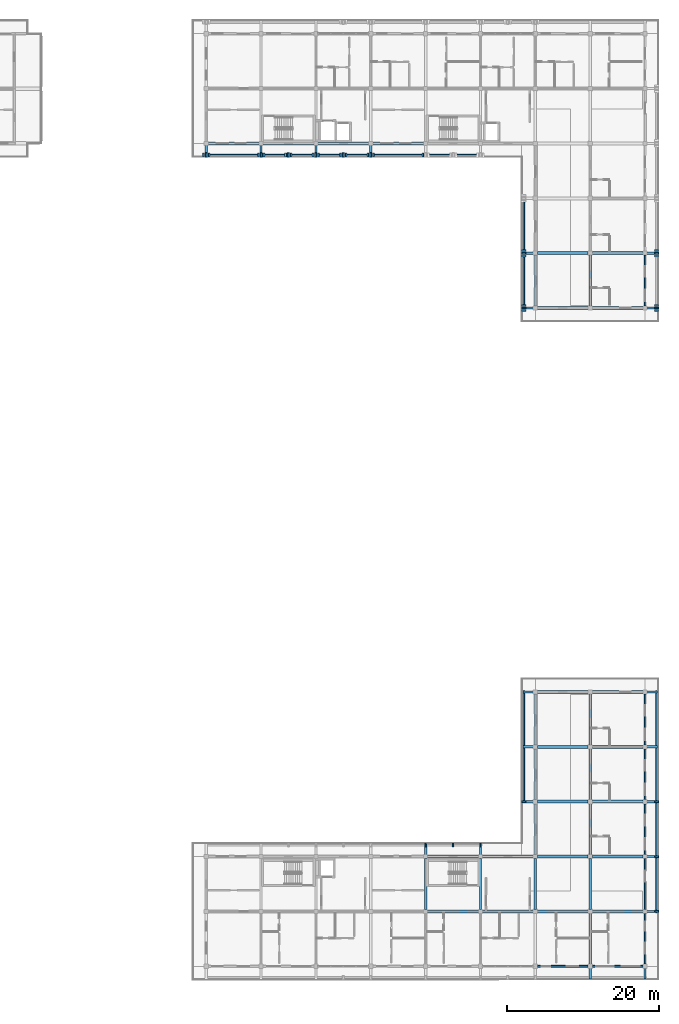
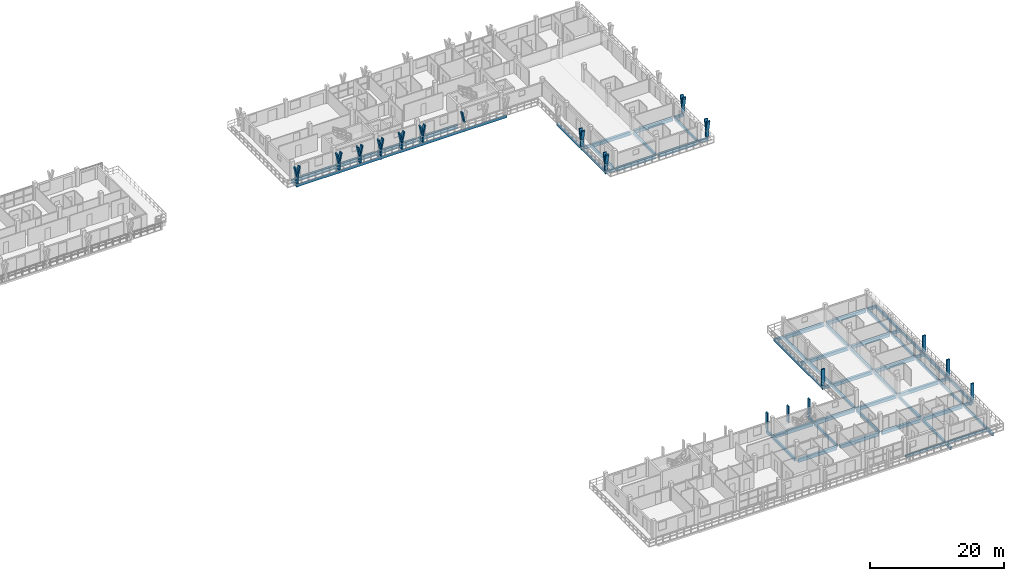
# One storey, part 23 of 67: 67 beams, 38 members.
"""IFC4 building model written with IfcOpenShell, lengths in metres."""

from ifc_helpers import new_model, si_unit, direction, frame, origin, origin_2d, place, context, subcontext, project, spatial, rectangle, extrude, material, material_profile, profile_set, type_object, element, save


model = new_model("IFC4")

# Units and contexts
model_context = context("Model", 3, precision=1e-05, world=origin(), true_north=direction((0.0, 1.0)))
body_context = subcontext(model_context, "Body", "Model", "MODEL_VIEW")
ifc_project = project(units=[si_unit("LENGTHUNIT", "METRE"), si_unit("AREAUNIT", "SQUARE_METRE"), si_unit("VOLUMEUNIT", "CUBIC_METRE"), si_unit("PLANEANGLEUNIT", "RADIAN"), si_unit("MASSUNIT", "GRAM", prefix="KILO")], contexts=[model_context])

# Site, building, storey
site_placement = place(None, origin())
site = spatial("IfcSite", under=ifc_project, at=site_placement, CompositionType="ELEMENT")
building_placement = place(site_placement, origin())
building = spatial("IfcBuilding", under=site, at=building_placement, Name="Suanplinth Sawtooth Commons", CompositionType="ELEMENT")
storey_placement = place(building_placement, frame((0.0, 0.0, 25.10009765625)))
storey = spatial("IfcBuildingStorey", under=building, at=storey_placement, Name="L07", CompositionType="ELEMENT", Elevation=25.10009765625)

# Beams
ifc_material_1 = material(Name="Precast concrete C40/50", Category="concrete")
ifc_material_profile_1 = material_profile(ifc_material_1, rectangle(XDim=0.39990234375, YDim=0.60009765625, at=origin_2d()), Name="PC-GDR 400x600")
ifc_profile_set_1 = profile_set([ifc_material_profile_1], Name="Precast concrete C40/50")
beam_type_1 = type_object("IfcBeamType", Name="B-05", PredefinedType="USERDEFINED", material=ifc_profile_set_1)
beam_1_placement = place(storey_placement, frame((129.875, 108.0, -0.52001953125), z_axis=(1.0, 0.0, 0.0), x_axis=(0.0, 1.0, 0.0)))
element("IfcBeam", 1, at=beam_1_placement, inside=storey, type_object=beam_type_1, Name="BMX-L07-B-18-15", ObjectType="GIRDER", PredefinedType="USERDEFINED", context=body_context, shape_type="SweptSolid", body=[
    extrude(rectangle(XDim=0.39990234375, YDim=0.60009765625, at=origin_2d()), origin(), (0.0, 0.0, 1.0), 6.64990234375),
])
for number, where, z_axis, x_axis, name in (
    (2, (137.074951171875, 108.0, -0.52001953125), (1.0, 0.0, 0.0), (0.0, 1.0, 0.0), "BMX-L07-B-19-15"),
    (3, (144.27490234375, 108.0, -0.52001953125), (1.0, 0.0, 0.0), (0.0, 1.0, 0.0), "BMX-L07-B-20-15"),
):
    element("IfcBeam", number, at=place(storey_placement, frame(where, z_axis=z_axis, x_axis=x_axis)), inside=storey, type_object=beam_type_1, Name=name, ObjectType="GIRDER", PredefinedType="USERDEFINED", context=body_context, shape_type="SweptSolid", body=[
        extrude(rectangle(XDim=0.39990234375, YDim=0.60009765625, at=origin_2d()), origin(), (0.0, 0.0, 1.0), 6.650146484375),
    ])
beam_2_placement = place(storey_placement, frame((151.47509765625, 108.0, -0.52001953125), z_axis=(1.0, 0.0, 0.0), x_axis=(0.0, 1.0, 0.0)))
element("IfcBeam", 4, at=beam_2_placement, inside=storey, type_object=beam_type_1, Name="BMX-L07-B-21-15", ObjectType="GIRDER", PredefinedType="USERDEFINED", context=body_context, shape_type="SweptSolid", body=[
    extrude(rectangle(XDim=0.39990234375, YDim=0.60009765625, at=origin_2d()), origin(), (0.0, 0.0, 1.0), 6.64990234375),
])
for number, where, z_axis, x_axis, name in (
    (5, (173.074951171875, 86.39990234375, -0.52001953125), (1.0, 0.0, 0.0), (0.0, 1.0, 0.0), "BMX-L07-B-24-12"),
    (6, (173.074951171875, 93.60009765625, -0.52001953125), (1.0, 0.0, 0.0), (0.0, 1.0, 0.0), "BMX-L07-B-24-13"),
    (7, (180.27490234375, 86.39990234375, -0.52001953125), (1.0, 0.0, 0.0), (0.0, 1.0, 0.0), "BMX-L07-B-25-12"),
    (8, (180.27490234375, 93.60009765625, -0.52001953125), (1.0, 0.0, 0.0), (0.0, 1.0, 0.0), "BMX-L07-B-25-13"),
):
    element("IfcBeam", number, at=place(storey_placement, frame(where, z_axis=z_axis, x_axis=x_axis)), inside=storey, type_object=beam_type_1, Name=name, ObjectType="GIRDER", PredefinedType="USERDEFINED", context=body_context, shape_type="SweptSolid", body=[
        extrude(rectangle(XDim=0.39990234375, YDim=0.60009765625, at=origin_2d()), origin(), (0.0, 0.0, 1.0), 6.650146484375),
    ])
for number, where, z_axis, x_axis, name in (
    (9, (158.675048828125, 7.199951171875, -0.52001953125), (1.0, 0.0, 0.0), (0.0, 1.0, 0.0), "BMX-L07-C-22-1"),
    (10, (158.675048828125, 14.39990234375, -0.52001953125), (1.0, 0.0, 0.0), (0.0, 1.0, 0.0), "BMX-L07-C-22-2"),
    (11, (165.875, 7.199951171875, -0.52001953125), (1.0, 0.0, 0.0), (0.0, 1.0, 0.0), "BMX-L07-C-23-1"),
    (12, (165.875, 14.39990234375, -0.52001953125), (1.0, 0.0, 0.0), (0.0, 1.0, 0.0), "BMX-L07-C-23-2"),
):
    element("IfcBeam", number, at=place(storey_placement, frame(where, z_axis=z_axis, x_axis=x_axis)), inside=storey, type_object=beam_type_1, Name=name, ObjectType="GIRDER", PredefinedType="USERDEFINED", context=body_context, shape_type="SweptSolid", body=[
        extrude(rectangle(XDim=0.39990234375, YDim=0.60009765625, at=origin_2d()), origin(), (0.0, 0.0, 1.0), 6.64990234375),
    ])
for number, where, z_axis, x_axis, name in (
    (13, (173.074951171875, 7.199951171875, -0.52001953125), (1.0, 0.0, 0.0), (0.0, 1.0, 0.0), "BMX-L07-C-24-1"),
    (14, (173.074951171875, 14.39990234375, -0.52001953125), (1.0, 0.0, 0.0), (0.0, 1.0, 0.0), "BMX-L07-C-24-2"),
    (15, (173.074951171875, 21.60009765625, -0.52001953125), (1.0, 0.0, 0.0), (0.0, 1.0, 0.0), "BMX-L07-C-24-3"),
    (16, (173.074951171875, 28.800048828125, -0.52001953125), (1.0, 0.0, 0.0), (0.0, 1.0, 0.0), "BMX-L07-C-24-4"),
    (17, (173.074951171875, 36.0, -0.52001953125), (1.0, 0.0, 0.0), (0.0, 1.0, 0.0), "BMX-L07-C-24-5"),
    (18, (180.27490234375, 7.199951171875, -0.52001953125), (1.0, 0.0, 0.0), (0.0, 1.0, 0.0), "BMX-L07-C-25-1"),
    (19, (180.27490234375, 14.39990234375, -0.52001953125), (1.0, 0.0, 0.0), (0.0, 1.0, 0.0), "BMX-L07-C-25-2"),
    (20, (180.27490234375, 21.60009765625, -0.52001953125), (1.0, 0.0, 0.0), (0.0, 1.0, 0.0), "BMX-L07-C-25-3"),
    (21, (180.27490234375, 28.800048828125, -0.52001953125), (1.0, 0.0, 0.0), (0.0, 1.0, 0.0), "BMX-L07-C-25-4"),
    (22, (180.27490234375, 36.0, -0.52001953125), (1.0, 0.0, 0.0), (0.0, 1.0, 0.0), "BMX-L07-C-25-5"),
):
    element("IfcBeam", number, at=place(storey_placement, frame(where, z_axis=z_axis, x_axis=x_axis)), inside=storey, type_object=beam_type_1, Name=name, ObjectType="GIRDER", PredefinedType="USERDEFINED", context=body_context, shape_type="SweptSolid", body=[
        extrude(rectangle(XDim=0.39990234375, YDim=0.60009765625, at=origin_2d()), origin(), (0.0, 0.0, 1.0), 6.650146484375),
    ])
ifc_material_profile_2 = material_profile(ifc_material_1, rectangle(XDim=0.300048828125, YDim=0.5, at=origin_2d()), Name="PC-BM 300x500")
ifc_profile_set_2 = profile_set([ifc_material_profile_2], Name="Precast concrete C40/50")
beam_type_2 = type_object("IfcBeamType", Name="B-07", PredefinedType="BEAM", material=ifc_profile_set_2)
for number, where, z_axis, x_axis, name in (
    (23, (172.800048828125, 86.675048828125, -0.47021484375), (0.0, 1.0, 0.0), (-1.0, 0.0, 0.0), "BMY-L07-B-24-12"),
    (24, (180.0, 86.675048828125, -0.47021484375), (0.0, 1.0, 0.0), (-1.0, 0.0, 0.0), "BMY-L07-B-25-12"),
    (25, (158.39990234375, 7.47509765625, -0.47021484375), (0.0, 1.0, 0.0), (-1.0, 0.0, 0.0), "BMY-L07-C-22-1"),
    (26, (165.60009765625, 7.47509765625, -0.47021484375), (0.0, 1.0, 0.0), (-1.0, 0.0, 0.0), "BMY-L07-C-23-1"),
    (27, (172.800048828125, 7.47509765625, -0.47021484375), (0.0, 1.0, 0.0), (-1.0, 0.0, 0.0), "BMY-L07-C-24-1"),
    (28, (172.800048828125, 14.675048828125, -0.47021484375), (0.0, 1.0, 0.0), (-1.0, 0.0, 0.0), "BMY-L07-C-24-2"),
    (29, (172.800048828125, 21.875, -0.47021484375), (0.0, 1.0, 0.0), (-1.0, 0.0, 0.0), "BMY-L07-C-24-3"),
):
    element("IfcBeam", number, at=place(storey_placement, frame(where, z_axis=z_axis, x_axis=x_axis)), inside=storey, type_object=beam_type_2, Name=name, PredefinedType="BEAM", context=body_context, shape_type="SweptSolid", body=[
        extrude(rectangle(XDim=0.300048828125, YDim=0.5, at=origin_2d()), origin(), (0.0, 0.0, 1.0), 6.64990234375),
    ])
for number, where, z_axis, x_axis, name in (
    (30, (172.800048828125, 29.074951171875, -0.47021484375), (0.0, 1.0, 0.0), (-1.0, 0.0, 0.0), "BMY-L07-C-24-4"),
    (31, (180.0, 0.27490234375, -0.47021484375), (0.0, 1.0, 0.0), (-1.0, 0.0, 0.0), "BMY-L07-C-25-0"),
):
    element("IfcBeam", number, at=place(storey_placement, frame(where, z_axis=z_axis, x_axis=x_axis)), inside=storey, type_object=beam_type_2, Name=name, PredefinedType="BEAM", context=body_context, shape_type="SweptSolid", body=[
        extrude(rectangle(XDim=0.300048828125, YDim=0.5, at=origin_2d()), origin(), (0.0, 0.0, 1.0), 6.650146484375),
    ])
for number, where, z_axis, x_axis, name in (
    (32, (180.0, 7.47509765625, -0.47021484375), (0.0, 1.0, 0.0), (-1.0, 0.0, 0.0), "BMY-L07-C-25-1"),
    (33, (180.0, 14.675048828125, -0.47021484375), (0.0, 1.0, 0.0), (-1.0, 0.0, 0.0), "BMY-L07-C-25-2"),
    (34, (180.0, 21.875, -0.47021484375), (0.0, 1.0, 0.0), (-1.0, 0.0, 0.0), "BMY-L07-C-25-3"),
):
    element("IfcBeam", number, at=place(storey_placement, frame(where, z_axis=z_axis, x_axis=x_axis)), inside=storey, type_object=beam_type_2, Name=name, PredefinedType="BEAM", context=body_context, shape_type="SweptSolid", body=[
        extrude(rectangle(XDim=0.300048828125, YDim=0.5, at=origin_2d()), origin(), (0.0, 0.0, 1.0), 6.64990234375),
    ])
beam_3_placement = place(storey_placement, frame((180.0, 29.074951171875, -0.47021484375), z_axis=(0.0, 1.0, 0.0), x_axis=(-1.0, 0.0, 0.0)))
element("IfcBeam", 35, at=beam_3_placement, inside=storey, type_object=beam_type_2, Name="BMY-L07-C-25-4", PredefinedType="BEAM", context=body_context, shape_type="SweptSolid", body=[
    extrude(rectangle(XDim=0.300048828125, YDim=0.5, at=origin_2d()), origin(), (0.0, 0.0, 1.0), 6.650146484375),
])
for number, where, z_axis, x_axis, name in (
    (36, (187.199951171875, 86.39990234375, -0.43017578125), (1.0, 0.0, 0.0), (0.0, 1.0, 0.0), "Balcony Outrigger L07-B-E-12"),
    (37, (187.199951171875, 93.60009765625, -0.43017578125), (1.0, 0.0, 0.0), (0.0, 1.0, 0.0), "Balcony Outrigger L07-B-E-13"),
):
    element("IfcBeam", number, at=place(storey_placement, frame(where, z_axis=z_axis, x_axis=x_axis)), inside=storey, type_object=beam_type_2, Name=name, PredefinedType="BEAM", context=body_context, shape_type="SweptSolid", body=[
        extrude(rectangle(XDim=0.300048828125, YDim=0.5, at=origin_2d()), origin(), (0.0, 0.0, 1.0), 1.64013671875),
    ])
for number, where, z_axis, x_axis, name in (
    (38, (129.60009765625, 108.0, -0.425048828125), (0.0, -1.0, 0.0), (1.0, 0.0, 0.0), "Balcony Outrigger L07-B-SC-18"),
    (39, (136.800048828125, 108.0, -0.425048828125), (0.0, -1.0, 0.0), (1.0, 0.0, 0.0), "Balcony Outrigger L07-B-SC-19"),
    (40, (144.0, 108.0, -0.425048828125), (0.0, -1.0, 0.0), (1.0, 0.0, 0.0), "Balcony Outrigger L07-B-SC-20"),
    (41, (151.199951171875, 108.0, -0.425048828125), (0.0, -1.0, 0.0), (1.0, 0.0, 0.0), "Balcony Outrigger L07-B-SC-21"),
):
    element("IfcBeam", number, at=place(storey_placement, frame(where, z_axis=z_axis, x_axis=x_axis)), inside=storey, type_object=beam_type_2, Name=name, PredefinedType="BEAM", context=body_context, shape_type="SweptSolid", body=[
        extrude(rectangle(XDim=0.300048828125, YDim=0.5, at=origin_2d()), origin(), (0.0, 0.0, 1.0), 1.639892578125),
    ])
for number, where, z_axis, x_axis, name in (
    (42, (172.800048828125, 86.39990234375, -0.425048828125), (-1.0, 0.0, 0.0), (0.0, -1.0, 0.0), "Balcony Outrigger L07-B-WC-12"),
    (43, (172.800048828125, 93.60009765625, -0.425048828125), (-1.0, 0.0, 0.0), (0.0, -1.0, 0.0), "Balcony Outrigger L07-B-WC-13"),
):
    element("IfcBeam", number, at=place(storey_placement, frame(where, z_axis=z_axis, x_axis=x_axis)), inside=storey, type_object=beam_type_2, Name=name, PredefinedType="BEAM", context=body_context, shape_type="SweptSolid", body=[
        extrude(rectangle(XDim=0.300048828125, YDim=0.5, at=origin_2d()), origin(), (0.0, 0.0, 1.0), 1.64013671875),
    ])
for number, where, z_axis, x_axis, name in (
    (44, (180.0, 0.0, -0.43017578125), (0.0, -1.0, 0.0), (1.0, 0.0, 0.0), "Balcony Outrigger L07-C-S-25"),
    (45, (187.199951171875, 0.0, -0.43017578125), (0.0, -1.0, 0.0), (1.0, 0.0, 0.0), "Balcony Outrigger L07-C-S-26"),
):
    element("IfcBeam", number, at=place(storey_placement, frame(where, z_axis=z_axis, x_axis=x_axis)), inside=storey, type_object=beam_type_2, Name=name, PredefinedType="BEAM", context=body_context, shape_type="SweptSolid", body=[
        extrude(rectangle(XDim=0.300048828125, YDim=0.5, at=origin_2d()), origin(), (0.0, 0.0, 1.0), 1.639892578125),
    ])
for number, where, z_axis, x_axis, name in (
    (46, (187.199951171875, 7.199951171875, -0.43017578125), (1.0, 0.0, 0.0), (0.0, 1.0, 0.0), "Balcony Outrigger L07-C-E-1"),
    (47, (187.199951171875, 14.39990234375, -0.43017578125), (1.0, 0.0, 0.0), (0.0, 1.0, 0.0), "Balcony Outrigger L07-C-E-2"),
    (48, (187.199951171875, 21.60009765625, -0.43017578125), (1.0, 0.0, 0.0), (0.0, 1.0, 0.0), "Balcony Outrigger L07-C-E-3"),
    (49, (187.199951171875, 28.800048828125, -0.43017578125), (1.0, 0.0, 0.0), (0.0, 1.0, 0.0), "Balcony Outrigger L07-C-E-4"),
    (50, (187.199951171875, 36.0, -0.43017578125), (1.0, 0.0, 0.0), (0.0, 1.0, 0.0), "Balcony Outrigger L07-C-E-5"),
    (51, (158.39990234375, 14.39990234375, -0.425048828125), (0.0, 1.0, 0.0), (-1.0, 0.0, 0.0), "Balcony Outrigger L07-C-NC-22"),
    (52, (165.60009765625, 14.39990234375, -0.425048828125), (0.0, 1.0, 0.0), (-1.0, 0.0, 0.0), "Balcony Outrigger L07-C-NC-23"),
    (53, (172.800048828125, 21.60009765625, -0.425048828125), (-1.0, 0.0, 0.0), (0.0, -1.0, 0.0), "Balcony Outrigger L07-C-WC-3"),
    (54, (172.800048828125, 28.800048828125, -0.425048828125), (-1.0, 0.0, 0.0), (0.0, -1.0, 0.0), "Balcony Outrigger L07-C-WC-4"),
    (55, (172.800048828125, 36.0, -0.425048828125), (-1.0, 0.0, 0.0), (0.0, -1.0, 0.0), "Balcony Outrigger L07-C-WC-5"),
):
    element("IfcBeam", number, at=place(storey_placement, frame(where, z_axis=z_axis, x_axis=x_axis)), inside=storey, type_object=beam_type_2, Name=name, PredefinedType="BEAM", context=body_context, shape_type="SweptSolid", body=[
        extrude(rectangle(XDim=0.300048828125, YDim=0.5, at=origin_2d()), origin(), (0.0, 0.0, 1.0), 1.64013671875),
    ])
ifc_material_profile_3 = material_profile(ifc_material_1, rectangle(XDim=0.25, YDim=0.449951171875, at=origin_2d()), Name="PC-SP 250x450")
ifc_profile_set_3 = profile_set([ifc_material_profile_3], Name="Precast concrete C40/50")
beam_type_3 = type_object("IfcBeamType", Name="B-09", PredefinedType="SPANDREL", material=ifc_profile_set_3)
beam_4_placement = place(storey_placement, frame((187.199951171875, 86.675048828125, -0.445068359375), z_axis=(0.0, 1.0, 0.0), x_axis=(-1.0, 0.0, 0.0)))
element("IfcBeam", 56, at=beam_4_placement, inside=storey, type_object=beam_type_3, Name="BMY-L07-B-26-12", PredefinedType="SPANDREL", context=body_context, shape_type="SweptSolid", body=[
    extrude(rectangle(XDim=0.25, YDim=0.449951171875, at=origin_2d()), origin(), (0.0, 0.0, 1.0), 6.64990234375),
])
for number, where, z_axis, x_axis, name in (
    (57, (173.074951171875, 0.0, -0.445068359375), (1.0, 0.0, 0.0), (0.0, 1.0, 0.0), "BMX-L07-C-24-0"),
    (58, (180.27490234375, 0.0, -0.445068359375), (1.0, 0.0, 0.0), (0.0, 1.0, 0.0), "BMX-L07-C-25-0"),
    (59, (187.199951171875, 0.27490234375, -0.445068359375), (0.0, 1.0, 0.0), (-1.0, 0.0, 0.0), "BMY-L07-C-26-0"),
):
    element("IfcBeam", number, at=place(storey_placement, frame(where, z_axis=z_axis, x_axis=x_axis)), inside=storey, type_object=beam_type_3, Name=name, PredefinedType="SPANDREL", context=body_context, shape_type="SweptSolid", body=[
        extrude(rectangle(XDim=0.25, YDim=0.449951171875, at=origin_2d()), origin(), (0.0, 0.0, 1.0), 6.650146484375),
    ])
for number, where, z_axis, x_axis, name in (
    (60, (187.199951171875, 7.47509765625, -0.445068359375), (0.0, 1.0, 0.0), (-1.0, 0.0, 0.0), "BMY-L07-C-26-1"),
    (61, (187.199951171875, 14.675048828125, -0.445068359375), (0.0, 1.0, 0.0), (-1.0, 0.0, 0.0), "BMY-L07-C-26-2"),
    (62, (187.199951171875, 21.875, -0.445068359375), (0.0, 1.0, 0.0), (-1.0, 0.0, 0.0), "BMY-L07-C-26-3"),
):
    element("IfcBeam", number, at=place(storey_placement, frame(where, z_axis=z_axis, x_axis=x_axis)), inside=storey, type_object=beam_type_3, Name=name, PredefinedType="SPANDREL", context=body_context, shape_type="SweptSolid", body=[
        extrude(rectangle(XDim=0.25, YDim=0.449951171875, at=origin_2d()), origin(), (0.0, 0.0, 1.0), 6.64990234375),
    ])
beam_5_placement = place(storey_placement, frame((187.199951171875, 29.074951171875, -0.445068359375), z_axis=(0.0, 1.0, 0.0), x_axis=(-1.0, 0.0, 0.0)))
element("IfcBeam", 63, at=beam_5_placement, inside=storey, type_object=beam_type_3, Name="BMY-L07-C-26-4", PredefinedType="SPANDREL", context=body_context, shape_type="SweptSolid", body=[
    extrude(rectangle(XDim=0.25, YDim=0.449951171875, at=origin_2d()), origin(), (0.0, 0.0, 1.0), 6.650146484375),
])
beam_6_placement = place(storey_placement, frame((129.449951171875, 106.47998046875, -0.400146484375), z_axis=(1.0, 0.0, 0.0), x_axis=(0.0, 1.0, 0.0)))
element("IfcBeam", 64, at=beam_6_placement, inside=storey, type_object=beam_type_3, Name="Balcony Edge Fascia L07-B-SC", PredefinedType="SPANDREL", context=body_context, shape_type="SweptSolid", body=[
    extrude(rectangle(XDim=0.25, YDim=0.449951171875, at=origin_2d()), origin(), (0.0, 0.0, 1.0), 36.300048828125),
])
beam_7_placement = place(storey_placement, frame((171.280029296875, 86.25, -0.400146484375), z_axis=(0.0, 1.0, 0.0), x_axis=(-1.0, 0.0, 0.0)))
element("IfcBeam", 65, at=beam_7_placement, inside=storey, type_object=beam_type_3, Name="Balcony Edge Fascia L07-B-WC", PredefinedType="SPANDREL", context=body_context, shape_type="SweptSolid", body=[
    extrude(rectangle(XDim=0.25, YDim=0.449951171875, at=origin_2d()), origin(), (0.0, 0.0, 1.0), 14.699951171875),
])
beam_8_placement = place(storey_placement, frame((188.719970703125, 7.050048828125, -0.405029296875), z_axis=(0.0, 1.0, 0.0), x_axis=(-1.0, 0.0, 0.0)))
element("IfcBeam", 66, at=beam_8_placement, inside=storey, type_object=beam_type_3, Name="Balcony Edge Fascia L07-C-E", PredefinedType="SPANDREL", context=body_context, shape_type="SweptSolid", body=[
    extrude(rectangle(XDim=0.25, YDim=0.449951171875, at=origin_2d()), origin(), (0.0, 0.0, 1.0), 29.099853515625),
])
beam_9_placement = place(storey_placement, frame((171.280029296875, 21.449951171875, -0.400146484375), z_axis=(0.0, 1.0, 0.0), x_axis=(-1.0, 0.0, 0.0)))
element("IfcBeam", 67, at=beam_9_placement, inside=storey, type_object=beam_type_3, Name="Balcony Edge Fascia L07-C-WC", PredefinedType="SPANDREL", context=body_context, shape_type="SweptSolid", body=[
    extrude(rectangle(XDim=0.25, YDim=0.449951171875, at=origin_2d()), origin(), (0.0, 0.0, 1.0), 14.699951171875),
])

# Members
ifc_material_2 = material(Name="Pigmented precast concrete C40/50", Category="concrete")
ifc_material_profile_4 = material_profile(ifc_material_2, rectangle(XDim=0.260009765625, YDim=0.550048828125, at=origin_2d()), Name="PC-FIN 260x550")
ifc_profile_set_4 = profile_set([ifc_material_profile_4], Name="Pigmented precast concrete C40/50")
member_type_1 = type_object("IfcMemberType", Name="M-09", PredefinedType="USERDEFINED", material=ifc_profile_set_4)
for number, where, z_axis, x_axis, name in (
    (68, (188.719970703125, 86.39990234375, 0.0), (0.0, 0.0, 1.0), (0.0, 1.0, 0.0), "Y-Blade Stem L07-B-E-08"),
    (69, (188.719970703125, 93.60009765625, 0.0), (0.0, 0.0, 1.0), (0.0, 1.0, 0.0), "Y-Blade Stem L07-B-E-09"),
    (70, (129.60009765625, 106.47998046875, 0.0), (0.0, 0.0, 1.0), (1.0, 0.0, 0.0), "Y-Blade Stem L07-B-SC-13"),
    (71, (136.800048828125, 106.47998046875, 0.0), (0.0, 0.0, 1.0), (1.0, 0.0, 0.0), "Y-Blade Stem L07-B-SC-14"),
    (72, (140.39990234375, 106.47998046875, 0.0), (0.0, 0.0, 1.0), (1.0, 0.0, 0.0), "Y-Blade Stem L07-B-SC-15"),
    (73, (144.0, 106.47998046875, 0.0), (0.0, 0.0, 1.0), (1.0, 0.0, 0.0), "Y-Blade Stem L07-B-SC-16"),
    (74, (147.60009765625, 106.47998046875, 0.0), (0.0, 0.0, 1.0), (1.0, 0.0, 0.0), "Y-Blade Stem L07-B-SC-17"),
    (75, (151.199951171875, 106.47998046875, 0.0), (0.0, 0.0, 1.0), (1.0, 0.0, 0.0), "Y-Blade Stem L07-B-SC-18"),
    (76, (171.280029296875, 86.39990234375, 0.0), (0.0, 0.0, 1.0), (0.0, 1.0, 0.0), "Y-Blade Stem L07-B-WC-22"),
    (77, (171.280029296875, 93.60009765625, 0.0), (0.0, 0.0, 1.0), (0.0, 1.0, 0.0), "Y-Blade Stem L07-B-WC-23"),
):
    element("IfcMember", number, at=place(storey_placement, frame(where, z_axis=z_axis, x_axis=x_axis)), inside=storey, type_object=member_type_1, Name=name, ObjectType="SHADING FIN", PredefinedType="USERDEFINED", context=body_context, shape_type="SweptSolid", body=[
        extrude(rectangle(XDim=0.260009765625, YDim=0.550048828125, at=origin_2d()), origin(), (0.0, 0.0, 1.0), 1.169921875),
    ])
ifc_material_profile_5 = material_profile(ifc_material_2, rectangle(XDim=0.219970703125, YDim=0.550048828125, at=origin_2d()), Name="PC-FIN 220x550")
ifc_profile_set_5 = profile_set([ifc_material_profile_5], Name="Pigmented precast concrete C40/50")
member_type_2 = type_object("IfcMemberType", Name="M-10", PredefinedType="USERDEFINED", material=ifc_profile_set_5)
member_1_placement = place(storey_placement, frame((188.719970703125, 86.39990234375, 1.1298828125), z_axis=(0.0, -0.196309979414, 0.980541886909), x_axis=(0.0, 0.980541886909, 0.196309979414)))
element("IfcMember", 78, at=member_1_placement, inside=storey, type_object=member_type_2, Name="Y-Blade Arm L L07-B-E-08", ObjectType="SHADING FIN", PredefinedType="USERDEFINED", context=body_context, shape_type="SweptSolid", body=[
    extrude(rectangle(XDim=0.219970703125, YDim=0.550048828125, at=origin_2d()), origin(), (0.0, 0.0, 1.0), 1.9375),
])
for number, where, z_axis, x_axis, name in (
    (79, (188.719970703125, 86.39990234375, 1.1298828125), (0.0, 0.196431120402, 0.980517626021), (0.0, -0.980517626021, 0.196431120402), "Y-Blade Arm R L07-B-E-08"),
    (80, (188.719970703125, 93.60009765625, 1.1298828125), (0.0, -0.196431120402, 0.980517626021), (0.0, 0.980517626021, 0.196431120402), "Y-Blade Arm L L07-B-E-09"),
):
    element("IfcMember", number, at=place(storey_placement, frame(where, z_axis=z_axis, x_axis=x_axis)), inside=storey, type_object=member_type_2, Name=name, ObjectType="SHADING FIN", PredefinedType="USERDEFINED", context=body_context, shape_type="SweptSolid", body=[
        extrude(rectangle(XDim=0.219970703125, YDim=0.550048828125, at=origin_2d()), origin(), (0.0, 0.0, 1.0), 1.937744140625),
    ])
member_2_placement = place(storey_placement, frame((188.719970703125, 93.60009765625, 1.1298828125), z_axis=(0.0, 0.196309979414, 0.980541886909), x_axis=(0.0, -0.980541886909, 0.196309979414)))
element("IfcMember", 81, at=member_2_placement, inside=storey, type_object=member_type_2, Name="Y-Blade Arm R L07-B-E-09", ObjectType="SHADING FIN", PredefinedType="USERDEFINED", context=body_context, shape_type="SweptSolid", body=[
    extrude(rectangle(XDim=0.219970703125, YDim=0.550048828125, at=origin_2d()), origin(), (0.0, 0.0, 1.0), 1.9375),
])
member_3_placement = place(storey_placement, frame((129.60009765625, 106.47998046875, 1.1298828125), z_axis=(-0.196431120402, 0.0, 0.980517626021), x_axis=(0.980517626021, 0.0, 0.196431120402)))
element("IfcMember", 82, at=member_3_placement, inside=storey, type_object=member_type_2, Name="Y-Blade Arm L L07-B-SC-13", ObjectType="SHADING FIN", PredefinedType="USERDEFINED", context=body_context, shape_type="SweptSolid", body=[
    extrude(rectangle(XDim=0.219970703125, YDim=0.550048828125, at=origin_2d()), origin(), (0.0, 0.0, 1.0), 1.937744140625),
])
member_4_placement = place(storey_placement, frame((129.60009765625, 106.47998046875, 1.1298828125), z_axis=(0.196309979414, 0.0, 0.980541886909), x_axis=(-0.980541886909, 0.0, 0.196309979414)))
element("IfcMember", 83, at=member_4_placement, inside=storey, type_object=member_type_2, Name="Y-Blade Arm R L07-B-SC-13", ObjectType="SHADING FIN", PredefinedType="USERDEFINED", context=body_context, shape_type="SweptSolid", body=[
    extrude(rectangle(XDim=0.219970703125, YDim=0.550048828125, at=origin_2d()), origin(), (0.0, 0.0, 1.0), 1.9375),
])
member_5_placement = place(storey_placement, frame((136.800048828125, 106.47998046875, 1.1298828125), z_axis=(-0.196431120402, 0.0, 0.980517626021), x_axis=(0.980517626021, 0.0, 0.196431120402)))
element("IfcMember", 84, at=member_5_placement, inside=storey, type_object=member_type_2, Name="Y-Blade Arm L L07-B-SC-14", ObjectType="SHADING FIN", PredefinedType="USERDEFINED", context=body_context, shape_type="SweptSolid", body=[
    extrude(rectangle(XDim=0.219970703125, YDim=0.550048828125, at=origin_2d()), origin(), (0.0, 0.0, 1.0), 1.937744140625),
])
for number, where, z_axis, x_axis, name in (
    (85, (136.800048828125, 106.47998046875, 1.1298828125), (0.196309979414, 0.0, 0.980541886909), (-0.980541886909, 0.0, 0.196309979414), "Y-Blade Arm R L07-B-SC-14"),
    (86, (140.39990234375, 106.47998046875, 1.1298828125), (-0.196309979414, 0.0, 0.980541886909), (0.980541886909, 0.0, 0.196309979414), "Y-Blade Arm L L07-B-SC-15"),
):
    element("IfcMember", number, at=place(storey_placement, frame(where, z_axis=z_axis, x_axis=x_axis)), inside=storey, type_object=member_type_2, Name=name, ObjectType="SHADING FIN", PredefinedType="USERDEFINED", context=body_context, shape_type="SweptSolid", body=[
        extrude(rectangle(XDim=0.219970703125, YDim=0.550048828125, at=origin_2d()), origin(), (0.0, 0.0, 1.0), 1.9375),
    ])
for number, where, z_axis, x_axis, name in (
    (87, (140.39990234375, 106.47998046875, 1.1298828125), (0.196431120402, 0.0, 0.980517626021), (-0.980517626021, 0.0, 0.196431120402), "Y-Blade Arm R L07-B-SC-15"),
    (88, (144.0, 106.47998046875, 1.1298828125), (-0.196431120402, 0.0, 0.980517626021), (0.980517626021, 0.0, 0.196431120402), "Y-Blade Arm L L07-B-SC-16"),
    (89, (144.0, 106.47998046875, 1.1298828125), (0.196431120402, 0.0, 0.980517626021), (-0.980517626021, 0.0, 0.196431120402), "Y-Blade Arm R L07-B-SC-16"),
    (90, (147.60009765625, 106.47998046875, 1.1298828125), (-0.196431120402, 0.0, 0.980517626021), (0.980517626021, 0.0, 0.196431120402), "Y-Blade Arm L L07-B-SC-17"),
):
    element("IfcMember", number, at=place(storey_placement, frame(where, z_axis=z_axis, x_axis=x_axis)), inside=storey, type_object=member_type_2, Name=name, ObjectType="SHADING FIN", PredefinedType="USERDEFINED", context=body_context, shape_type="SweptSolid", body=[
        extrude(rectangle(XDim=0.219970703125, YDim=0.550048828125, at=origin_2d()), origin(), (0.0, 0.0, 1.0), 1.937744140625),
    ])
for number, where, z_axis, x_axis, name in (
    (91, (147.60009765625, 106.47998046875, 1.1298828125), (0.196309979414, 0.0, 0.980541886909), (-0.980541886909, 0.0, 0.196309979414), "Y-Blade Arm R L07-B-SC-17"),
    (92, (151.199951171875, 106.47998046875, 1.1298828125), (-0.196309979414, 0.0, 0.980541886909), (0.980541886909, 0.0, 0.196309979414), "Y-Blade Arm L L07-B-SC-18"),
):
    element("IfcMember", number, at=place(storey_placement, frame(where, z_axis=z_axis, x_axis=x_axis)), inside=storey, type_object=member_type_2, Name=name, ObjectType="SHADING FIN", PredefinedType="USERDEFINED", context=body_context, shape_type="SweptSolid", body=[
        extrude(rectangle(XDim=0.219970703125, YDim=0.550048828125, at=origin_2d()), origin(), (0.0, 0.0, 1.0), 1.9375),
    ])
member_6_placement = place(storey_placement, frame((151.199951171875, 106.47998046875, 1.1298828125), z_axis=(0.196431120402, 0.0, 0.980517626021), x_axis=(-0.980517626021, 0.0, 0.196431120402)))
element("IfcMember", 93, at=member_6_placement, inside=storey, type_object=member_type_2, Name="Y-Blade Arm R L07-B-SC-18", ObjectType="SHADING FIN", PredefinedType="USERDEFINED", context=body_context, shape_type="SweptSolid", body=[
    extrude(rectangle(XDim=0.219970703125, YDim=0.550048828125, at=origin_2d()), origin(), (0.0, 0.0, 1.0), 1.937744140625),
])
for number, where, z_axis, x_axis, name in (
    (94, (158.39990234375, 106.47998046875, 1.1298828125), (-0.196309979414, 0.0, 0.980541886909), (0.980541886909, 0.0, 0.196309979414), "Y-Blade Arm L L07-B-SC-19"),
    (95, (171.280029296875, 86.39990234375, 1.1298828125), (0.0, -0.196309979414, 0.980541886909), (0.0, 0.980541886909, 0.196309979414), "Y-Blade Arm L L07-B-WC-22"),
):
    element("IfcMember", number, at=place(storey_placement, frame(where, z_axis=z_axis, x_axis=x_axis)), inside=storey, type_object=member_type_2, Name=name, ObjectType="SHADING FIN", PredefinedType="USERDEFINED", context=body_context, shape_type="SweptSolid", body=[
        extrude(rectangle(XDim=0.219970703125, YDim=0.550048828125, at=origin_2d()), origin(), (0.0, 0.0, 1.0), 1.9375),
    ])
for number, where, z_axis, x_axis, name in (
    (96, (171.280029296875, 86.39990234375, 1.1298828125), (0.0, 0.196431120402, 0.980517626021), (0.0, -0.980517626021, 0.196431120402), "Y-Blade Arm R L07-B-WC-22"),
    (97, (171.280029296875, 93.60009765625, 1.1298828125), (0.0, -0.196431120402, 0.980517626021), (0.0, 0.980517626021, 0.196431120402), "Y-Blade Arm L L07-B-WC-23"),
):
    element("IfcMember", number, at=place(storey_placement, frame(where, z_axis=z_axis, x_axis=x_axis)), inside=storey, type_object=member_type_2, Name=name, ObjectType="SHADING FIN", PredefinedType="USERDEFINED", context=body_context, shape_type="SweptSolid", body=[
        extrude(rectangle(XDim=0.219970703125, YDim=0.550048828125, at=origin_2d()), origin(), (0.0, 0.0, 1.0), 1.937744140625),
    ])
member_7_placement = place(storey_placement, frame((171.280029296875, 93.60009765625, 1.1298828125), z_axis=(0.0, 0.196309979414, 0.980541886909), x_axis=(0.0, -0.980541886909, 0.196309979414)))
element("IfcMember", 98, at=member_7_placement, inside=storey, type_object=member_type_2, Name="Y-Blade Arm R L07-B-WC-23", ObjectType="SHADING FIN", PredefinedType="USERDEFINED", context=body_context, shape_type="SweptSolid", body=[
    extrude(rectangle(XDim=0.219970703125, YDim=0.550048828125, at=origin_2d()), origin(), (0.0, 0.0, 1.0), 1.9375),
])
ifc_material_profile_6 = material_profile(ifc_material_2, rectangle(XDim=0.25, YDim=0.5400390625, at=origin_2d()), Name="PC-FIN 250x540")
ifc_profile_set_6 = profile_set([ifc_material_profile_6], Name="Pigmented precast concrete C40/50")
member_type_3 = type_object("IfcMemberType", Name="M-11", PredefinedType="USERDEFINED", material=ifc_profile_set_6)
for number, where, z_axis, x_axis, name in (
    (99, (188.719970703125, 7.199951171875, 0.0), (0.0, 0.0, 1.0), (0.0, 1.0, 0.0), "Upright Solar Blade L07-C-E-07"),
    (100, (188.719970703125, 14.39990234375, 0.0), (0.0, 0.0, 1.0), (0.0, 1.0, 0.0), "Upright Solar Blade L07-C-E-08"),
    (101, (188.719970703125, 21.60009765625, 0.0), (0.0, 0.0, 1.0), (0.0, 1.0, 0.0), "Upright Solar Blade L07-C-E-09"),
):
    element("IfcMember", number, at=place(storey_placement, frame(where, z_axis=z_axis, x_axis=x_axis)), inside=storey, type_object=member_type_3, Name=name, ObjectType="SHADING FIN", PredefinedType="USERDEFINED", context=body_context, shape_type="SweptSolid", body=[
        extrude(rectangle(XDim=0.25, YDim=0.5400390625, at=origin_2d()), origin(), (0.0, 0.0, 1.0), 3.02978515625),
    ])
ifc_material_profile_7 = material_profile(ifc_material_2, rectangle(XDim=0.2099609375, YDim=0.52001953125, at=origin_2d()), Name="PC-FIN 210x520")
ifc_profile_set_7 = profile_set([ifc_material_profile_7], Name="Pigmented precast concrete C40/50")
member_type_4 = type_object("IfcMemberType", Name="M-12", PredefinedType="USERDEFINED", material=ifc_profile_set_7)
for number, where, z_axis, x_axis, name in (
    (102, (158.39990234375, 15.919921875, 0.0), (0.0, 0.0, 1.0), (1.0, 0.0, 0.0), "Upright Solar Blade L07-C-NC-14"),
    (103, (162.0, 15.919921875, 0.0), (0.0, 0.0, 1.0), (1.0, 0.0, 0.0), "Upright Solar Blade L07-C-NC-15"),
    (104, (165.60009765625, 15.919921875, 0.0), (0.0, 0.0, 1.0), (1.0, 0.0, 0.0), "Upright Solar Blade L07-C-NC-16"),
    (105, (171.280029296875, 21.60009765625, 0.0), (0.0, 0.0, 1.0), (0.0, 1.0, 0.0), "Upright Solar Blade L07-C-WC-17"),
):
    element("IfcMember", number, at=place(storey_placement, frame(where, z_axis=z_axis, x_axis=x_axis)), inside=storey, type_object=member_type_4, Name=name, ObjectType="SHADING FIN", PredefinedType="USERDEFINED", context=body_context, shape_type="SweptSolid", body=[
        extrude(rectangle(XDim=0.2099609375, YDim=0.52001953125, at=origin_2d()), origin(), (0.0, 0.0, 1.0), 3.02978515625),
    ])

save(model, "model.ifc")
